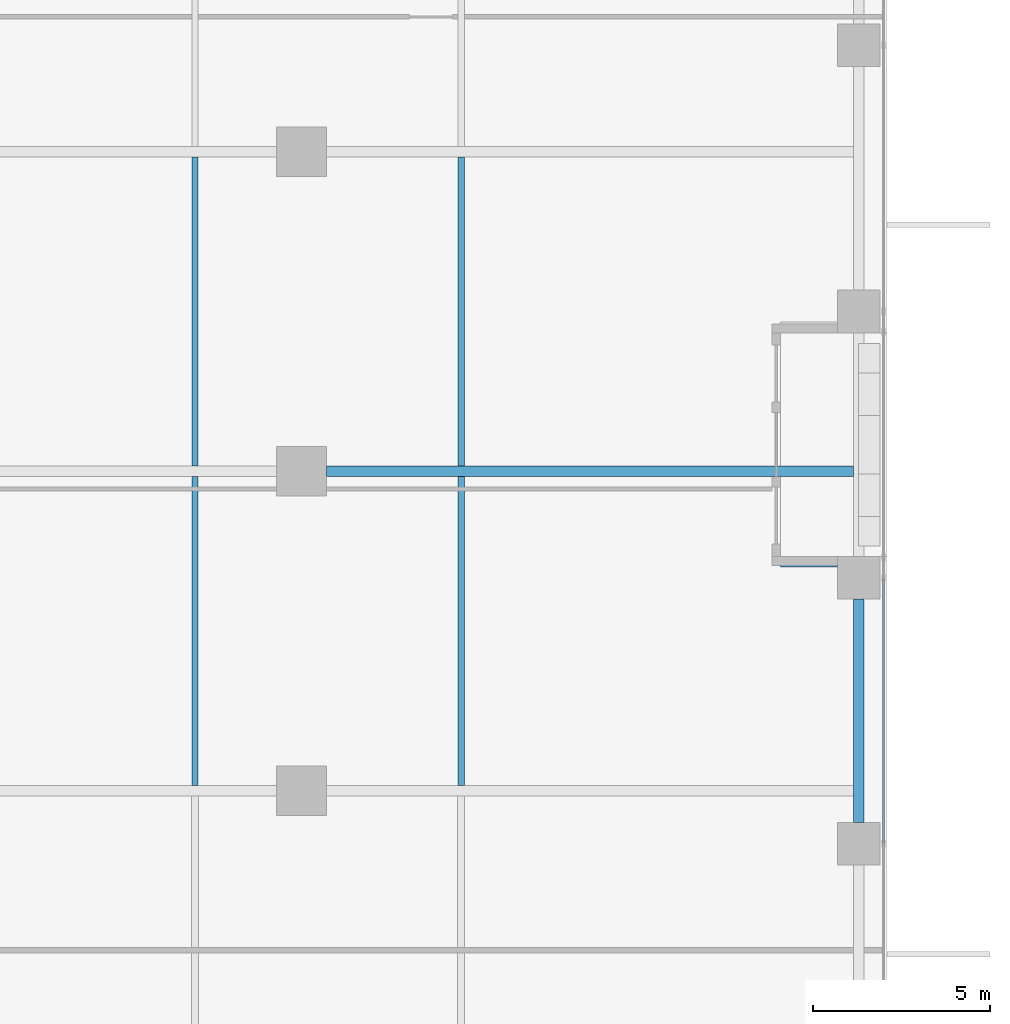
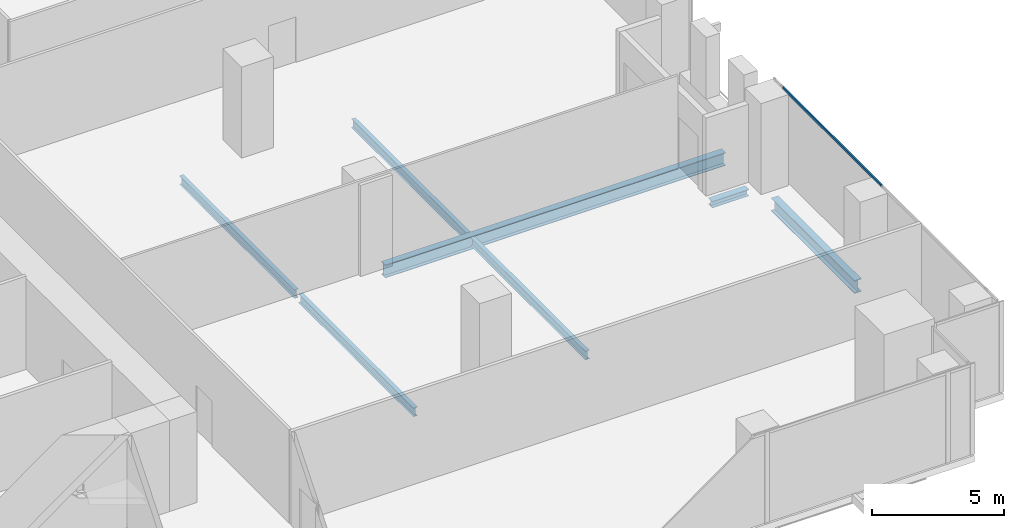
# One storey, part 10 of 33: 7 beams, 1 member, 1 element without a shape of its own.
"""IFC4 building model written with IfcOpenShell, lengths in metres."""

from ifc_helpers import new_model, si_unit, direction, frame, origin, origin_2d, place, context, subcontext, project, spatial, hollow_rectangle, i_section, extrude, source, transform, mapped, material, material_profile, profile_set, type_object, element, aggregate, save


model = new_model("IFC4")

# Units and contexts
model_context = context("Model", 3, precision=1e-05, world=origin(), true_north=direction((0.0, 1.0)))
body_context = subcontext(model_context, "Body", "Model", "MODEL_VIEW")
ifc_project = project(units=[si_unit("LENGTHUNIT", "METRE"), si_unit("AREAUNIT", "SQUARE_METRE"), si_unit("VOLUMEUNIT", "CUBIC_METRE"), si_unit("PLANEANGLEUNIT", "RADIAN"), si_unit("MASSUNIT", "GRAM", prefix="KILO")], contexts=[model_context])

# Site, building, storey
site_placement = place(None, origin())
site = spatial("IfcSite", under=ifc_project, at=site_placement, CompositionType="ELEMENT")
building_placement = place(site_placement, origin())
building = spatial("IfcBuilding", under=site, at=building_placement, Name="Khomas Fold Tower", CompositionType="ELEMENT")
storey_placement = place(building_placement, frame((0.0, 0.0, 78.0)))
storey = spatial("IfcBuildingStorey", under=building, at=storey_placement, Name="L16", CompositionType="ELEMENT", Elevation=78.0)

# Beams
ifc_material_1 = material(Name="Steel S355", Category="steel")
ifc_material_profile_1 = material_profile(ifc_material_1, i_section(OverallWidth=0.179931640625, OverallDepth=0.39990234375, WebThickness=0.008544921875, FlangeThickness=0.013427734375, at=origin_2d()), Name="IPE 400")
ifc_profile_set_1 = profile_set([ifc_material_profile_1], Name="Steel S355")
beam_type_1 = type_object("IfcBeamType", Name="IPE 400 beam JB3", PredefinedType="BEAM", material=ifc_profile_set_1)
shared_shape_1 = source(origin(), body_context, "Body", "SweptSolid", [
    extrude(i_section(OverallWidth=0.179931640625, OverallDepth=0.39990234375, WebThickness=0.008544921875, FlangeThickness=0.013427734375, at=origin_2d()), origin(), (0.0, 0.0, 1.0), 8.7001953125),
])
for number, where, z_axis, x_axis, name in (
    (1, (34.5, 13.64990234375, -0.5), (0.0, 1.0, 0.0), (-1.0, 0.0, 0.0), "JB3"),
    (2, (34.5, 22.64990234375, -0.5), (0.0, 1.0, 0.0), (-1.0, 0.0, 0.0), "JB3"),
    (3, (42.0, 13.64990234375, -0.5), (0.0, 1.0, 0.0), (-1.0, 0.0, 0.0), "JB3"),
    (4, (42.0, 22.64990234375, -0.5), (0.0, 1.0, 0.0), (-1.0, 0.0, 0.0), "JB3"),
):
    element("IfcBeam", number, at=place(storey_placement, frame(where, z_axis=z_axis, x_axis=x_axis)), inside=storey, type_object=beam_type_1, Name=name, PredefinedType="BEAM", context=body_context, shape_type="MappedRepresentation", body=[
        mapped(shared_shape_1, transform((0.0, 0.0, 0.0))),
    ])
ifc_material_2 = material(Name="Steel S355", Category="steel")
ifc_material_profile_2 = material_profile(ifc_material_2, i_section(OverallWidth=0.300048828125, OverallDepth=0.60009765625, WebThickness=0.015380859375, FlangeThickness=0.030029296875, at=origin_2d()), Name="HE 600 B")
ifc_profile_set_2 = profile_set([ifc_material_profile_2], Name="Steel S355")
beam_type_2 = type_object("IfcBeamType", Name="HE 600 B spandrel SB1", PredefinedType="SPANDREL", material=ifc_profile_set_2)
shared_shape_2 = source(origin(), body_context, "Body", "SweptSolid", [
    extrude(i_section(OverallWidth=0.300048828125, OverallDepth=0.60009765625, WebThickness=0.015380859375, FlangeThickness=0.030029296875, at=origin_2d()), origin(), (0.0, 0.0, 1.0), 6.2998046875),
])
beam_1_placement = place(storey_placement, frame((53.199951171875, 12.60009765625, -0.60009765625), z_axis=(0.0, 1.0, 0.0), x_axis=(-1.0, 0.0, 0.0)))
element("IfcBeam", 5, at=beam_1_placement, inside=storey, type_object=beam_type_2, Name="SB1", PredefinedType="SPANDREL", context=body_context, shape_type="MappedRepresentation", body=[
    mapped(shared_shape_2, transform((0.0, 0.0, 0.0))),
])
ifc_material_3 = material(Name="Steel S355", Category="steel")
ifc_material_profile_3 = material_profile(ifc_material_3, i_section(OverallWidth=0.300048828125, OverallDepth=0.60009765625, WebThickness=0.015380859375, FlangeThickness=0.030029296875, at=origin_2d()), Name="HE 600 B")
ifc_profile_set_3 = profile_set([ifc_material_profile_3], Name="Steel S355")
beam_type_3 = type_object("IfcBeamType", Name="HE 600 B beam GB5", PredefinedType="BEAM", material=ifc_profile_set_3)
shared_shape_3 = source(origin(), body_context, "Body", "SweptSolid", [
    extrude(i_section(OverallWidth=0.300048828125, OverallDepth=0.60009765625, WebThickness=0.015380859375, FlangeThickness=0.030029296875, at=origin_2d()), origin(), (0.0, 0.0, 1.0), 14.85009765625),
])
beam_2_placement = place(storey_placement, frame((38.199951171875, 22.5, -0.60009765625), z_axis=(1.0, 0.0, 0.0), x_axis=(0.0, 1.0, 0.0)))
element("IfcBeam", 6, at=beam_2_placement, inside=storey, type_object=beam_type_3, Name="GB5", PredefinedType="BEAM", context=body_context, shape_type="MappedRepresentation", body=[
    mapped(shared_shape_3, transform((0.0, 0.0, 0.0))),
])
ifc_material_4 = material(Name="Steel S355", Category="steel")
ifc_material_profile_4 = material_profile(ifc_material_4, i_section(OverallWidth=0.300048828125, OverallDepth=0.300048828125, WebThickness=0.010986328125, FlangeThickness=0.01904296875, at=origin_2d()), Name="HE 300 B")
ifc_profile_set_4 = profile_set([ifc_material_profile_4], Name="Steel S355")
beam_type_4 = type_object("IfcBeamType", Name="HE 300 B beam BB1", PredefinedType="BEAM", material=ifc_profile_set_4)
shared_shape_4 = source(origin(), body_context, "Body", "SweptSolid", [
    extrude(i_section(OverallWidth=0.300048828125, OverallDepth=0.300048828125, WebThickness=0.010986328125, FlangeThickness=0.01904296875, at=origin_2d()), origin(), (0.0, 0.0, 1.0), 1.60009765625),
])
beam_3_placement = place(storey_placement, frame((51.0, 19.949951171875, -0.449951171875), z_axis=(1.0, 0.0, 0.0), x_axis=(0.0, 1.0, 0.0)))
element("IfcBeam", 7, at=beam_3_placement, inside=storey, type_object=beam_type_4, Name="BB1", PredefinedType="BEAM", context=body_context, shape_type="MappedRepresentation", body=[
    mapped(shared_shape_4, transform((0.0, 0.0, 0.0))),
])

# Curtain wall, member
ifc_material_5 = material(Name="Aluminium framed double glazing", Category="aluminium")
curtain_wall_type = type_object("IfcCurtainWallType", Name="SK-Unitised clear-glass wall, growing floors CW1", PredefinedType="NOTDEFINED", material=ifc_material_5)
curtain_wall_placement = place(storey_placement, origin())
curtain_wall = element("IfcCurtainWall", 8, at=curtain_wall_placement, inside=storey, type_object=curtain_wall_type, Name="CW1 run L16 03-0", PredefinedType="NOTDEFINED")
ifc_material_6 = material(Name="Aluminium", Category="aluminium")
ifc_material_profile_5 = material_profile(ifc_material_6, hollow_rectangle(XDim=0.06005859375, YDim=0.1201171875, WallThickness=0.00390625, at=origin_2d()), Name="SK-Unitised clear-glass wall, growing floors transom CW1-T")
ifc_profile_set_5 = profile_set([ifc_material_profile_5], Name="Aluminium")
member_type = type_object("IfcMemberType", Name="SK-Unitised clear-glass wall, growing floors transom CW1-T", PredefinedType="USERDEFINED", material=ifc_profile_set_5)
shared_shape_5 = source(origin(), body_context, "Body", "SweptSolid", [
    extrude(hollow_rectangle(XDim=0.06005859375, YDim=0.1201171875, WallThickness=0.00390625, at=origin_2d()), origin(), (0.0, 0.0, 1.0), 7.43994140625),
])
member_placement = place(storey_placement, frame((53.89990234375, 12.030029296875, 4.139892578125), z_axis=(0.0, 1.0, 0.0), x_axis=(-1.0, 0.0, 0.0)))
member = element("IfcMember", 9, at=member_placement, type_object=member_type, Name="CW1 transom 3", ObjectType="TRANSOM", PredefinedType="USERDEFINED", context=body_context, shape_type="MappedRepresentation", body=[
    mapped(shared_shape_5, transform((0.0, 0.0, 0.0))),
])
aggregate(curtain_wall, [member])

save(model, "model.ifc")
